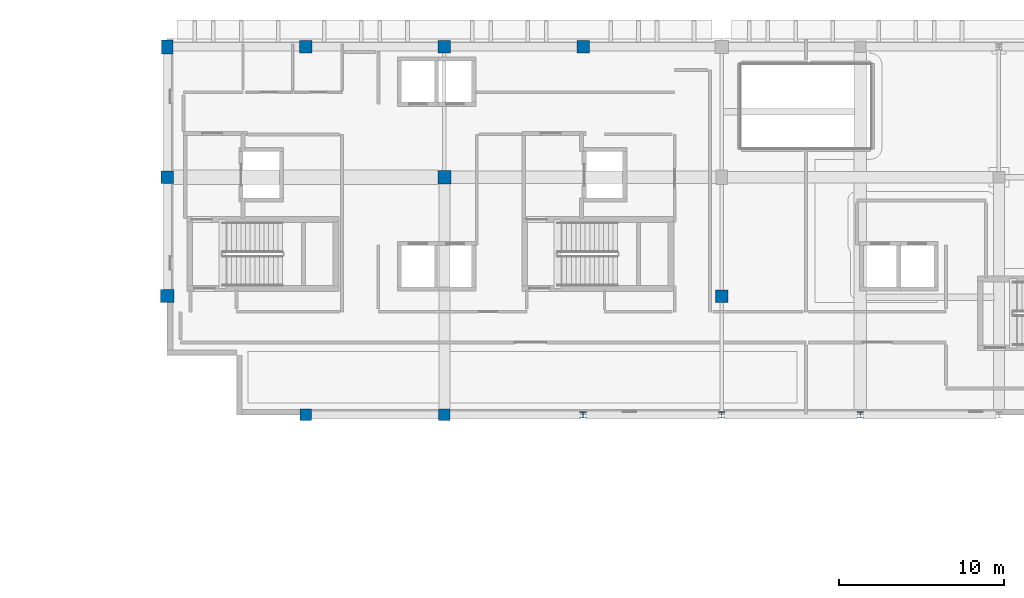
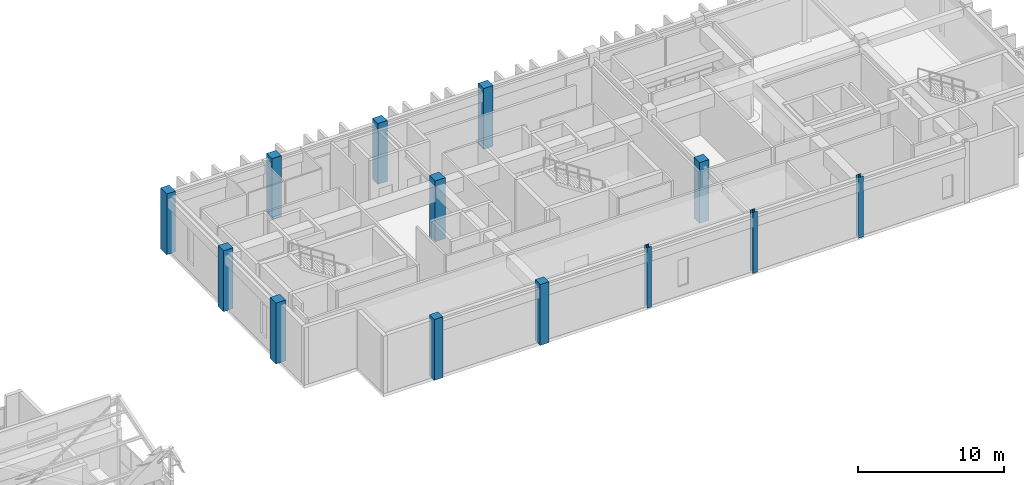
# One storey, part 3 of 34: 13 columns.
"""IFC4 building model written with IfcOpenShell, lengths in metres."""

from ifc_helpers import new_model, si_unit, direction, frame, origin, origin_2d, place, context, subcontext, project, spatial, rectangle, i_section, extrude, material, material_profile, profile_set, type_object, element, save


model = new_model("IFC4")

# Units and contexts
model_context = context("Model", 3, precision=1e-05, world=origin(), true_north=direction((0.0, 1.0)))
body_context = subcontext(model_context, "Body", "Model", "MODEL_VIEW")
ifc_project = project(units=[si_unit("LENGTHUNIT", "METRE"), si_unit("AREAUNIT", "SQUARE_METRE"), si_unit("VOLUMEUNIT", "CUBIC_METRE"), si_unit("PLANEANGLEUNIT", "RADIAN"), si_unit("MASSUNIT", "GRAM", prefix="KILO")], contexts=[model_context])

# Site, building, storey
site_placement = place(None, origin())
site = spatial("IfcSite", under=ifc_project, at=site_placement, CompositionType="ELEMENT")
building_placement = place(site_placement, origin())
building = spatial("IfcBuilding", under=site, at=building_placement, Name="Quendrovan Civic Courthouse", CompositionType="ELEMENT")
storey_placement = place(building_placement, frame((0.0, 0.0, 25.5)))
storey = spatial("IfcBuildingStorey", under=building, at=storey_placement, Name="L06", CompositionType="ELEMENT", Elevation=25.5)

# Columns
ifc_material_1 = material(Name="Concrete C40/50", Category="concrete")
ifc_material_profile_1 = material_profile(ifc_material_1, rectangle(XDim=0.699951171875, YDim=0.85009765625, at=origin_2d()), Name="RC-COL-700x850")
ifc_profile_set_1 = profile_set([ifc_material_profile_1], Name="Concrete C40/50")
column_type_1 = type_object("IfcColumnType", Name="COL-RC-700x850", PredefinedType="COLUMN", material=ifc_profile_set_1)
column_placement = place(storey_placement, frame((33.60009765625, 109.89990234375, 0.0), z_axis=(0.0, 0.0, 1.0), x_axis=(1.0, 0.0, 0.0)))
element("IfcColumn", 1, at=column_placement, inside=storey, type_object=column_type_1, Name="L06 Column 5-Q", PredefinedType="COLUMN", context=body_context, shape_type="SweptSolid", body=[
    extrude(rectangle(XDim=0.699951171875, YDim=0.85009765625, at=origin_2d()), origin(), (0.0, 0.0, 1.0), 5.10009765625),
])
ifc_material_2 = material(Name="Concrete C45/55", Category="concrete")
ifc_material_profile_2 = material_profile(ifc_material_2, rectangle(XDim=0.699951171875, YDim=0.699951171875, at=origin_2d()), Name="RC-COL-700x700")
ifc_profile_set_2 = profile_set([ifc_material_profile_2], Name="Concrete C45/55")
column_type_2 = type_object("IfcColumnType", Name="COL-RC700", PredefinedType="COLUMN", material=ifc_profile_set_2)
for number, where, z_axis, x_axis, name in (
    (2, (42.0, 87.60009765625, 0.0), (0.0, 0.0, 1.0), (1.0, 0.0, 0.0), "L06 Column 6-M"),
    (3, (50.39990234375, 87.60009765625, 0.0), (0.0, 0.0, 1.0), (1.0, 0.0, 0.0), "L06 Column 7-M"),
):
    element("IfcColumn", number, at=place(storey_placement, frame(where, z_axis=z_axis, x_axis=x_axis)), inside=storey, type_object=column_type_2, Name=name, PredefinedType="COLUMN", context=body_context, shape_type="SweptSolid", body=[
        extrude(rectangle(XDim=0.699951171875, YDim=0.699951171875, at=origin_2d()), origin(), (0.0, 0.0, 1.0), 5.10009765625),
    ])
ifc_material_profile_3 = material_profile(ifc_material_2, rectangle(XDim=0.75, YDim=0.75, at=origin_2d()), Name="RC-COL-750x750")
ifc_profile_set_3 = profile_set([ifc_material_profile_3], Name="Concrete C45/55")
column_type_3 = type_object("IfcColumnType", Name="COL-RC750", PredefinedType="COLUMN", material=ifc_profile_set_3)
for number, where, z_axis, x_axis, name in (
    (4, (33.60009765625, 102.0, 0.0), (0.0, 0.0, 1.0), (1.0, 0.0, 0.0), "L06 Column 5-P"),
    (5, (42.0, 109.89990234375, 0.0), (0.0, 0.0, 1.0), (1.0, 0.0, 0.0), "L06 Column 6-Q"),
    (6, (50.39990234375, 109.89990234375, 0.0), (0.0, 0.0, 1.0), (1.0, 0.0, 0.0), "L06 Column 7-Q"),
    (7, (58.800048828125, 109.89990234375, 0.0), (0.0, 0.0, 1.0), (1.0, 0.0, 0.0), "L06 Column 8-Q"),
    (8, (67.199951171875, 94.800048828125, 0.0), (0.0, 0.0, 1.0), (1.0, 0.0, 0.0), "L06 Column 9-N"),
):
    element("IfcColumn", number, at=place(storey_placement, frame(where, z_axis=z_axis, x_axis=x_axis)), inside=storey, type_object=column_type_3, Name=name, PredefinedType="COLUMN", context=body_context, shape_type="SweptSolid", body=[
        extrude(rectangle(XDim=0.75, YDim=0.75, at=origin_2d()), origin(), (0.0, 0.0, 1.0), 5.10009765625),
    ])
ifc_material_profile_4 = material_profile(ifc_material_2, rectangle(XDim=0.800048828125, YDim=0.800048828125, at=origin_2d()), Name="RC-COL-800x800")
ifc_profile_set_4 = profile_set([ifc_material_profile_4], Name="Concrete C45/55")
column_type_4 = type_object("IfcColumnType", Name="COL-RC800", PredefinedType="COLUMN", material=ifc_profile_set_4)
for number, where, z_axis, x_axis, name in (
    (9, (33.60009765625, 94.800048828125, 0.0), (0.0, 0.0, 1.0), (1.0, 0.0, 0.0), "L06 Column 5-N"),
    (10, (50.39990234375, 102.0, 0.0), (0.0, 0.0, 1.0), (1.0, 0.0, 0.0), "L06 Column 7-P"),
):
    element("IfcColumn", number, at=place(storey_placement, frame(where, z_axis=z_axis, x_axis=x_axis)), inside=storey, type_object=column_type_4, Name=name, PredefinedType="COLUMN", context=body_context, shape_type="SweptSolid", body=[
        extrude(rectangle(XDim=0.800048828125, YDim=0.800048828125, at=origin_2d()), origin(), (0.0, 0.0, 1.0), 5.10009765625),
    ])
ifc_material_3 = material(Name="Steel ASTM A992 Grade 50", Category="steel")
ifc_material_profile_5 = material_profile(ifc_material_3, i_section(OverallWidth=0.3740234375, OverallDepth=0.3720703125, WebThickness=0.016357421875, FlangeThickness=0.026123046875, at=origin_2d()), Name="W14X132")
ifc_profile_set_5 = profile_set([ifc_material_profile_5], Name="Steel ASTM A992 Grade 50")
column_type_5 = type_object("IfcColumnType", Name="COL-STL-W14X132", PredefinedType="COLUMN", material=ifc_profile_set_5)
for number, where, z_axis, x_axis, name in (
    (11, (58.800048828125, 87.60009765625, 0.0), (0.0, 0.0, 1.0), (1.0, 0.0, 0.0), "L06 Column 8-M"),
    (12, (67.199951171875, 87.60009765625, 0.0), (0.0, 0.0, 1.0), (1.0, 0.0, 0.0), "L06 Column 9-M"),
    (13, (75.60009765625, 87.60009765625, 0.0), (0.0, 0.0, 1.0), (1.0, 0.0, 0.0), "L06 Column 10-M"),
):
    element("IfcColumn", number, at=place(storey_placement, frame(where, z_axis=z_axis, x_axis=x_axis)), inside=storey, type_object=column_type_5, Name=name, PredefinedType="COLUMN", context=body_context, shape_type="SweptSolid", body=[
        extrude(i_section(OverallWidth=0.3740234375, OverallDepth=0.3720703125, WebThickness=0.016357421875, FlangeThickness=0.026123046875, at=origin_2d()), origin(), (0.0, 0.0, 1.0), 5.10009765625),
    ])

save(model, "model.ifc")
